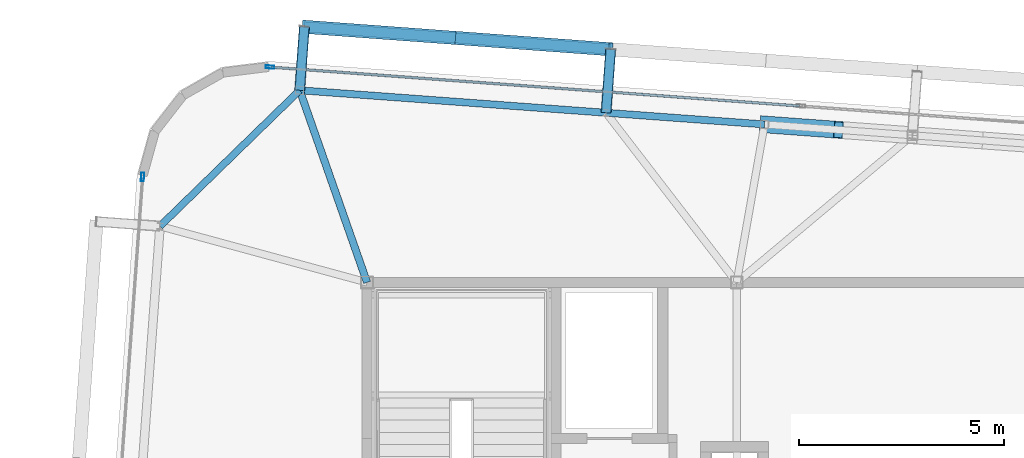
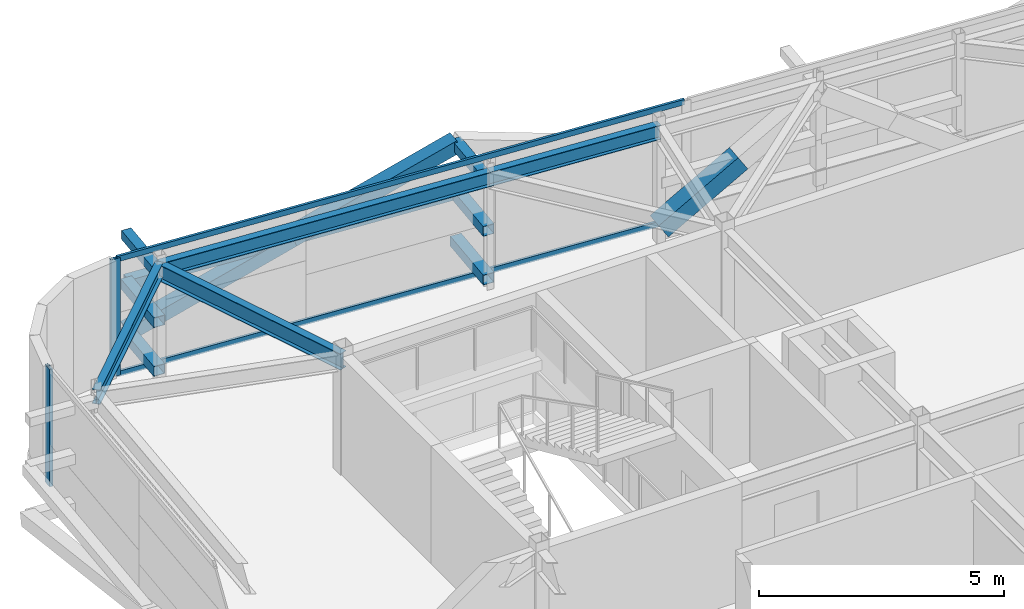
# One storey, part 20 of 35: 14 members, 4 beams, 2 elements without a shape of their own.
"""IFC4 building model written with IfcOpenShell, lengths in metres."""

from ifc_helpers import new_model, si_unit, direction, frame, origin, origin_2d, place, context, subcontext, project, spatial, hollow_rectangle, i_section, extrude, source, transform, mapped, material, layer, layer_set, material_profile, profile_set, type_object, element, aggregate, save


model = new_model("IFC4")

# Units and contexts
model_context = context("Model", 3, precision=1e-05, world=origin(), true_north=direction((0.0, 1.0)))
body_context = subcontext(model_context, "Body", "Model", "MODEL_VIEW")
ifc_project = project(units=[si_unit("LENGTHUNIT", "METRE"), si_unit("AREAUNIT", "SQUARE_METRE"), si_unit("VOLUMEUNIT", "CUBIC_METRE"), si_unit("PLANEANGLEUNIT", "RADIAN"), si_unit("MASSUNIT", "GRAM", prefix="KILO")], contexts=[model_context])

# Site, building, storey
site_placement = place(None, origin())
site = spatial("IfcSite", under=ifc_project, at=site_placement, CompositionType="ELEMENT")
building_placement = place(site_placement, origin())
building = spatial("IfcBuilding", under=site, at=building_placement, Name="Taldren Reach Tower", CompositionType="ELEMENT")
storey_placement = place(building_placement, frame((0.0, 0.0, 236.60009765625)))
storey = spatial("IfcBuildingStorey", under=building, at=storey_placement, Name="L72", CompositionType="ELEMENT", Elevation=236.60009765625)

# Members
ifc_material_1 = material(Name="Steel Gr 350 (C350L0)", Category="steel")
ifc_material_profile_1 = material_profile(ifc_material_1, hollow_rectangle(XDim=0.25, YDim=0.25, WallThickness=0.010009765625, at=origin_2d()), Name="250x250x10.0SHS")
ifc_profile_set_1 = profile_set([ifc_material_profile_1], Name="Steel Gr 350 (C350L0)")
member_type_1 = type_object("IfcMemberType", Name="MB-POST250", PredefinedType="POST", material=ifc_profile_set_1)
shared_shape_1 = source(origin(), body_context, "Body", "SweptSolid", [
    extrude(hollow_rectangle(XDim=0.25, YDim=0.25, WallThickness=0.010009765625, at=origin_2d()), origin(), (0.0, 0.0, 1.0), 1.5498046875),
])
for number, where, z_axis, x_axis, name in (
    (1, (17.35986328125, 36.678955078125, 0.219970703125), (0.073250797913, 0.997313551801, 0.0), (-0.997313551801, 0.073250797913, 0.0), "Exoskeleton base diaphragm tie strut B5-N1 L72"),
    (2, (17.35986328125, 36.678955078125, 1.434814453125), (0.073250797913, 0.997313551801, 0.0), (-0.997313551801, 0.073250797913, 0.0), "Exoskeleton mid-tier diaphragm tie B5-N1 L72"),
):
    element("IfcMember", number, at=place(storey_placement, frame(where, z_axis=z_axis, x_axis=x_axis)), inside=storey, type_object=member_type_1, Name=name, PredefinedType="POST", context=body_context, shape_type="MappedRepresentation", body=[
        mapped(shared_shape_1, transform((0.0, 0.0, 0.0), scale=1.0)),
    ])
shared_shape_2 = source(origin(), body_context, "Body", "SweptSolid", [
    extrude(hollow_rectangle(XDim=0.25, YDim=0.25, WallThickness=0.010009765625, at=origin_2d()), origin(), (0.0, 0.0, 1.0), 1.550048828125),
])
for number, where, z_axis, x_axis, name in (
    (3, (24.819580078125, 36.131103515625, 0.219970703125), (0.07323929162, 0.997314396849, 0.0), (-0.997314396849, 0.07323929162, 0.0), "Exoskeleton base diaphragm tie strut B5-N2 L72"),
    (4, (24.819580078125, 36.131103515625, 1.434814453125), (0.07323929162, 0.997314396849, 0.0), (-0.997314396849, 0.07323929162, 0.0), "Exoskeleton mid-tier diaphragm tie B5-N2 L72"),
):
    element("IfcMember", number, at=place(storey_placement, frame(where, z_axis=z_axis, x_axis=x_axis)), inside=storey, type_object=member_type_1, Name=name, PredefinedType="POST", context=body_context, shape_type="MappedRepresentation", body=[
        mapped(shared_shape_2, transform((0.0, 0.0, 0.0), scale=1.0)),
    ])
ifc_material_2 = material(Name="Steel Gr 450 (C450L0)", Category="steel")
ifc_material_profile_2 = material_profile(ifc_material_2, hollow_rectangle(XDim=0.219970703125, YDim=0.219970703125, WallThickness=0.00830078125, at=origin_2d()), Name="220x220x8.2SHS")
ifc_profile_set_2 = profile_set([ifc_material_profile_2], Name="Steel Gr 450 (C450L0)")
member_type_2 = type_object("IfcMemberType", Name="MB-TIE219", PredefinedType="STRUT", material=ifc_profile_set_2)
shared_shape_3 = source(origin(), body_context, "Body", "SweptSolid", [
    extrude(hollow_rectangle(XDim=0.219970703125, YDim=0.219970703125, WallThickness=0.00830078125, at=origin_2d()), origin(), (0.0, 0.0, 1.0), 1.5498046875),
])
member_1_placement = place(storey_placement, frame((17.35986328125, 36.678955078125, 2.64990234375), z_axis=(0.073250797913, 0.997313551801, 0.0), x_axis=(-0.997313551801, 0.073250797913, 0.0)))
element("IfcMember", 5, at=member_1_placement, inside=storey, type_object=member_type_2, Name="Exoskeleton diaphragm tie strut B5-N1 L72", PredefinedType="STRUT", context=body_context, shape_type="MappedRepresentation", body=[
    mapped(shared_shape_3, transform((0.0, 0.0, 0.0), scale=1.0)),
])
shared_shape_4 = source(origin(), body_context, "Body", "SweptSolid", [
    extrude(hollow_rectangle(XDim=0.219970703125, YDim=0.219970703125, WallThickness=0.00830078125, at=origin_2d()), origin(), (0.0, 0.0, 1.0), 1.550048828125),
])
member_2_placement = place(storey_placement, frame((24.819580078125, 36.131103515625, 2.64990234375), z_axis=(0.07323929162, 0.997314396849, 0.0), x_axis=(-0.997314396849, 0.07323929162, 0.0)))
element("IfcMember", 6, at=member_2_placement, inside=storey, type_object=member_type_2, Name="Exoskeleton diaphragm tie strut B5-N2 L72", PredefinedType="STRUT", context=body_context, shape_type="MappedRepresentation", body=[
    mapped(shared_shape_4, transform((0.0, 0.0, 0.0), scale=1.0)),
])

# Beams
ifc_material_3 = material(Name="Steel Gr 350 (350PLUS)", Category="steel")
ifc_material_profile_3 = material_profile(ifc_material_3, i_section(OverallWidth=0.172119140625, OverallDepth=0.35888671875, WebThickness=0.008056640625, FlangeThickness=0.012939453125, at=origin_2d()), Name="360UB56.7")
ifc_profile_set_3 = profile_set([ifc_material_profile_3], Name="Steel Gr 350 (350PLUS)")
beam_type_1 = type_object("IfcBeamType", Name="SP-UB360", PredefinedType="SPANDREL", material=ifc_profile_set_3)
shared_shape_5 = source(origin(), body_context, "Body", "SweptSolid", [
    extrude(i_section(OverallWidth=0.172119140625, OverallDepth=0.35888671875, WebThickness=0.008056640625, FlangeThickness=0.012939453125, at=origin_2d()), origin(), (0.0, 0.0, 1.0), 7.479736328125),
])
beam_1_placement = place(storey_placement, frame((24.819580078125, 36.131103515625, 2.75048828125), z_axis=(-0.997314045547, 0.073244075215, 0.0), x_axis=(-0.073244075215, -0.997314045547, 0.0)))
element("IfcBeam", 7, at=beam_1_placement, inside=storey, type_object=beam_type_1, Name="Perimeter spandrel B5 N2-N1 L72", PredefinedType="SPANDREL", context=body_context, shape_type="MappedRepresentation", body=[
    mapped(shared_shape_5, transform((0.0, 0.0, 0.0), scale=1.0)),
])
shared_shape_6 = source(origin(), body_context, "Body", "SweptSolid", [
    extrude(i_section(OverallWidth=0.172119140625, OverallDepth=0.35888671875, WebThickness=0.008056640625, FlangeThickness=0.012939453125, at=origin_2d()), origin(), (0.0, 0.0, 1.0), 4.74609375),
])
beam_2_placement = place(storey_placement, frame((17.35986328125, 36.678955078125, 2.75048828125), z_axis=(-0.716711338436, -0.697369957309, 0.0), x_axis=(0.697369957309, -0.716711338436, 0.0)))
element("IfcBeam", 8, at=beam_2_placement, inside=storey, type_object=beam_type_1, Name="Perimeter spandrel B5 N1-W3 L72", PredefinedType="SPANDREL", context=body_context, shape_type="MappedRepresentation", body=[
    mapped(shared_shape_6, transform((0.0, 0.0, 0.0), scale=1.0)),
])
shared_shape_7 = source(origin(), body_context, "Body", "SweptSolid", [
    extrude(i_section(OverallWidth=0.172119140625, OverallDepth=0.35888671875, WebThickness=0.008056640625, FlangeThickness=0.012939453125, at=origin_2d()), origin(), (0.0, 0.0, 1.0), 3.8701171875),
])
beam_3_placement = place(storey_placement, frame((28.67919921875, 35.84765625, 2.75048828125), z_axis=(-0.997314202545, 0.073241937451, 0.0), x_axis=(-0.073241937451, -0.997314202545, 0.0)))
element("IfcBeam", 9, at=beam_3_placement, inside=storey, type_object=beam_type_1, Name="Perimeter spandrel B5 PJN1-N2 L72", PredefinedType="SPANDREL", context=body_context, shape_type="MappedRepresentation", body=[
    mapped(shared_shape_7, transform((0.0, 0.0, 0.0), scale=1.0)),
])
ifc_material_profile_4 = material_profile(ifc_material_3, i_section(OverallWidth=0.177978515625, OverallDepth=0.406005859375, WebThickness=0.0078125, FlangeThickness=0.0126953125, at=origin_2d()), Name="410UB59.7")
ifc_profile_set_4 = profile_set([ifc_material_profile_4], Name="Steel Gr 350 (350PLUS)")
beam_type_2 = type_object("IfcBeamType", Name="BM-UB410", PredefinedType="BEAM", material=ifc_profile_set_4)
shared_shape_8 = source(origin(), body_context, "Body", "SweptSolid", [
    extrude(i_section(OverallWidth=0.177978515625, OverallDepth=0.406005859375, WebThickness=0.0078125, FlangeThickness=0.0126953125, at=origin_2d()), origin(), (0.0, 0.0, 1.0), 4.9580078125),
])
beam_4_placement = place(storey_placement, frame((19.0, 32.0, 2.726806640625), z_axis=(-0.330800025288, 0.943700875951, 0.0), x_axis=(-0.943700875951, -0.330800025288, 0.0)))
element("IfcBeam", 10, at=beam_4_placement, inside=storey, type_object=beam_type_2, Name="Primary floor girder B5-N1 L72", PredefinedType="BEAM", context=body_context, shape_type="MappedRepresentation", body=[
    mapped(shared_shape_8, transform((0.0, 0.0, 0.0), scale=1.0)),
])

# Members
ifc_material_profile_5 = material_profile(ifc_material_2, hollow_rectangle(XDim=0.324951171875, YDim=0.324951171875, WallThickness=0.0126953125, at=origin_2d()), Name="325x325x12.7SHS")
ifc_profile_set_5 = profile_set([ifc_material_profile_5], Name="Steel Gr 450 (C450L0)")
member_type_3 = type_object("IfcMemberType", Name="MB-BR324", PredefinedType="BRACE", material=ifc_profile_set_5)
shared_shape_9 = source(origin(), body_context, "Body", "SweptSolid", [
    extrude(hollow_rectangle(XDim=0.324951171875, YDim=0.324951171875, WallThickness=0.0126953125, at=origin_2d()), origin(), (0.0, 0.0, 1.0), 3.932373046875),
])
member_3_placement = place(storey_placement, frame((17.473388671875, 38.224609375, 0.219970703125), z_axis=(0.948529326954, -0.06965898055, 0.308933232813), x_axis=(0.07324169103, 0.997314220642, 0.0)))
element("IfcMember", 11, at=member_3_placement, inside=storey, type_object=member_type_3, Name="Exoskeleton Diagrid Brace B5-N1 L72", PredefinedType="BRACE", context=body_context, shape_type="MappedRepresentation", body=[
    mapped(shared_shape_9, transform((0.0, 0.0, 0.0), scale=1.0)),
])
shared_shape_10 = source(origin(), body_context, "Body", "SweptSolid", [
    extrude(hollow_rectangle(XDim=0.324951171875, YDim=0.324951171875, WallThickness=0.0126953125, at=origin_2d()), origin(), (0.0, 0.0, 1.0), 3.93212890625),
])
member_4_placement = place(storey_placement, frame((21.203369140625, 37.95068359375, 1.434814453125), z_axis=(0.948509004245, -0.069599960317, 0.309008922833), x_axis=(0.073181527281, 0.997318637179, 0.0)))
element("IfcMember", 12, at=member_4_placement, inside=storey, type_object=member_type_3, Name="Exoskeleton Diagrid Brace B5-N1 L72", PredefinedType="BRACE", context=body_context, shape_type="MappedRepresentation", body=[
    mapped(shared_shape_10, transform((0.0, 0.0, 0.0), scale=1.0)),
])
shared_shape_11 = source(origin(), body_context, "Body", "SweptSolid", [
    extrude(hollow_rectangle(XDim=0.25, YDim=0.25, WallThickness=0.010009765625, at=origin_2d()), origin(), (0.0, 0.0, 1.0), 7.479736328125),
])
member_5_placement = place(storey_placement, frame((17.473388671875, 38.224609375, 1.434814453125), z_axis=(0.997316429287, -0.07321161024, 0.0), x_axis=(0.07321161024, 0.997316429287, 0.0)))
element("IfcMember", 13, at=member_5_placement, inside=storey, type_object=member_type_1, Name="Exoskeleton mid-height ring chord B5-N1 L72", PredefinedType="POST", context=body_context, shape_type="MappedRepresentation", body=[
    mapped(shared_shape_11, transform((0.0, 0.0, 0.0), scale=1.0)),
])
ifc_material_profile_6 = material_profile(ifc_material_2, hollow_rectangle(XDim=0.409912109375, YDim=0.409912109375, WallThickness=0.01611328125, at=origin_2d()), Name="410x410x16.0SHS")
ifc_profile_set_6 = profile_set([ifc_material_profile_6], Name="Steel Gr 450 (C450L0)")
member_type_4 = type_object("IfcMemberType", Name="MB-EXO406", PredefinedType="BRACE", material=ifc_profile_set_6)
shared_shape_12 = source(origin(), body_context, "Body", "SweptSolid", [
    extrude(hollow_rectangle(XDim=0.409912109375, YDim=0.409912109375, WallThickness=0.01611328125, at=origin_2d()), origin(), (0.0, 0.0, 1.0), 2.140380859375),
])
member_6_placement = place(storey_placement, frame((28.67919921875, 35.84765625, 0.349853515625), z_axis=(0.841092988887, -0.061821589365, 0.537345954794), x_axis=(0.073303747821, 0.997309661317, 0.0)))
element("IfcMember", 14, at=member_6_placement, inside=storey, type_object=member_type_4, Name="Wind portal N bridge truss diagonal 1", PredefinedType="BRACE", context=body_context, shape_type="MappedRepresentation", body=[
    mapped(shared_shape_12, transform((0.0, 0.0, 0.0), scale=1.0)),
])

# Curtain wall, members
ifc_material_4 = material(Name="Aluminium and Low-E Glass Unitised System", Category="aluminium")
ifc_layer = layer(ifc_material_4, 0.159912109375)
ifc_layer_set = layer_set([ifc_layer], Name="Aluminium and Low-E Glass Unitised System")
curtain_wall_type = type_object("IfcCurtainWallType", Name="CW-SYS-6", PredefinedType="NOTDEFINED", material=ifc_layer_set)
curtain_wall_1_placement = place(storey_placement, origin())
curtain_wall_1 = element("IfcCurtainWall", 15, at=curtain_wall_1_placement, inside=storey, type_object=curtain_wall_type, Name="Unitised curtain wall CW-L72-N", PredefinedType="NOTDEFINED")
ifc_material_5 = material(Name="Anodised Aluminium 6063-T6", Category="aluminium")
ifc_material_profile_7 = material_profile(ifc_material_5, hollow_rectangle(XDim=0.06005859375, YDim=0.135009765625, WallThickness=0.00341796875, at=origin_2d()), Name="ALU-135x60x3.5RHS")
ifc_profile_set_7 = profile_set([ifc_material_profile_7], Name="Anodised Aluminium 6063-T6")
member_type_5 = type_object("IfcMemberType", Name="CW-TRN-150", PredefinedType="USERDEFINED", material=ifc_profile_set_7)
shared_shape_13 = source(origin(), body_context, "Body", "SweptSolid", [
    extrude(hollow_rectangle(XDim=0.06005859375, YDim=0.135009765625, WallThickness=0.00341796875, at=origin_2d()), origin(), (0.0, 0.0, 1.0), 12.887451171875),
])
member_7_placement = place(storey_placement, frame((29.52685546875, 36.296630859375, 0.02978515625), z_axis=(-0.997314487101, 0.07323806263, 0.0), x_axis=(-0.07323806263, -0.997314487101, 0.0)))
member_7 = element("IfcMember", 16, at=member_7_placement, type_object=member_type_5, Name="CW-6 transom 3.1", ObjectType="TRANSOM", PredefinedType="USERDEFINED", context=body_context, shape_type="MappedRepresentation", body=[
    mapped(shared_shape_13, transform((0.0, 0.0, 0.0), scale=1.0)),
])
member_8_placement = place(storey_placement, frame((29.52685546875, 36.296630859375, 2.89990234375), z_axis=(-0.997314487101, 0.07323806263, 0.0), x_axis=(-0.07323806263, -0.997314487101, 0.0)))
member_8 = element("IfcMember", 17, at=member_8_placement, type_object=member_type_5, Name="CW-6 transom 3.2", ObjectType="TRANSOM", PredefinedType="USERDEFINED", context=body_context, shape_type="MappedRepresentation", body=[
    mapped(shared_shape_13, transform((0.0, 0.0, 0.0), scale=1.0)),
])
ifc_material_profile_8 = material_profile(ifc_material_5, hollow_rectangle(XDim=0.074951171875, YDim=0.2099609375, WallThickness=0.00439453125, at=origin_2d()), Name="ALU-210x75x4.5RHS")
ifc_profile_set_8 = profile_set([ifc_material_profile_8], Name="Anodised Aluminium 6063-T6")
member_type_6 = type_object("IfcMemberType", Name="CW-MUL-200", PredefinedType="MULLION", material=ifc_profile_set_8)
shared_shape_14 = source(origin(), body_context, "Body", "SweptSolid", [
    extrude(hollow_rectangle(XDim=0.074951171875, YDim=0.2099609375, WallThickness=0.00439453125, at=origin_2d()), origin(), (0.0, 0.0, 1.0), 2.929931640625),
])
member_9_placement = place(storey_placement, frame((16.63671875, 37.243408203125, 0.0), z_axis=(0.0, 0.0, 1.0), x_axis=(-0.073238213716, -0.997314476006, 0.0)))
member_9 = element("IfcMember", 18, at=member_9_placement, type_object=member_type_6, Name="CW-6 mullion 4", PredefinedType="MULLION", context=body_context, shape_type="MappedRepresentation", body=[
    mapped(shared_shape_14, transform((0.0, 0.0, 0.0), scale=1.0)),
])
aggregate(curtain_wall_1, [member_9, member_7, member_8])

# Curtain wall, member
curtain_wall_2_placement = place(storey_placement, origin())
curtain_wall_2 = element("IfcCurtainWall", 19, at=curtain_wall_2_placement, inside=storey, type_object=curtain_wall_type, Name="Unitised curtain wall CW-L72-W", PredefinedType="NOTDEFINED")
member_10_placement = place(storey_placement, frame((13.53466796875, 34.56591796875, 0.0), z_axis=(0.0, 0.0, 1.0), x_axis=(0.997314470951, -0.073238282558, 0.0)))
member_10 = element("IfcMember", 20, at=member_10_placement, type_object=member_type_6, Name="CW-6 mullion 1", PredefinedType="MULLION", context=body_context, shape_type="MappedRepresentation", body=[
    mapped(shared_shape_14, transform((0.0, 0.0, 0.0), scale=1.0)),
])
aggregate(curtain_wall_2, [member_10])

save(model, "model.ifc")
